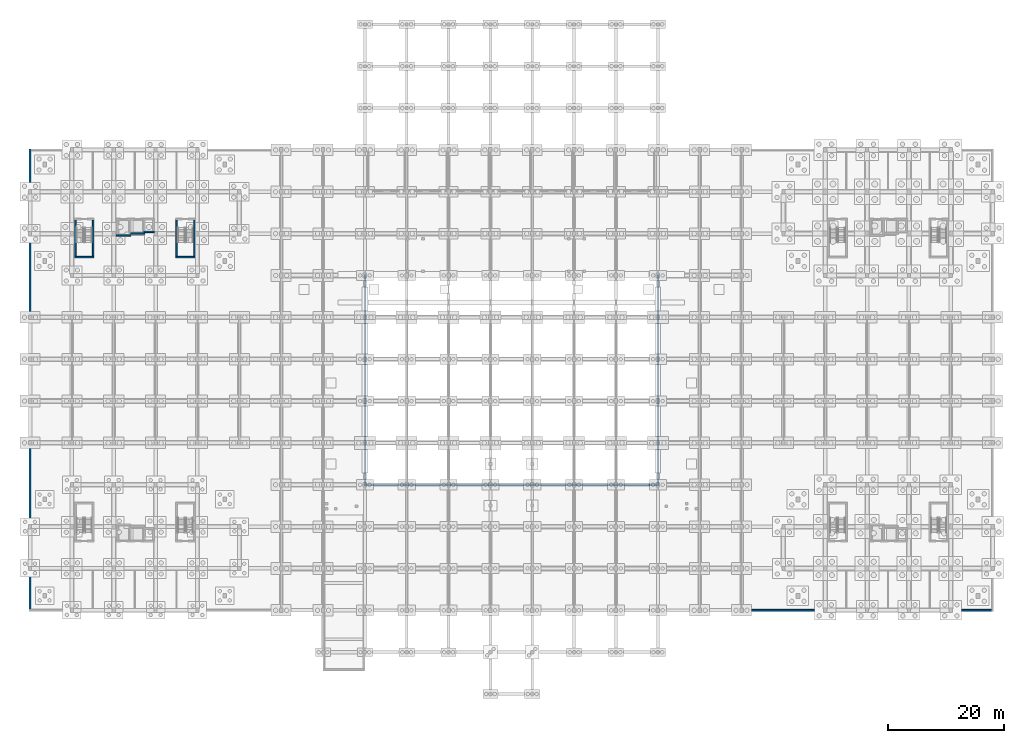
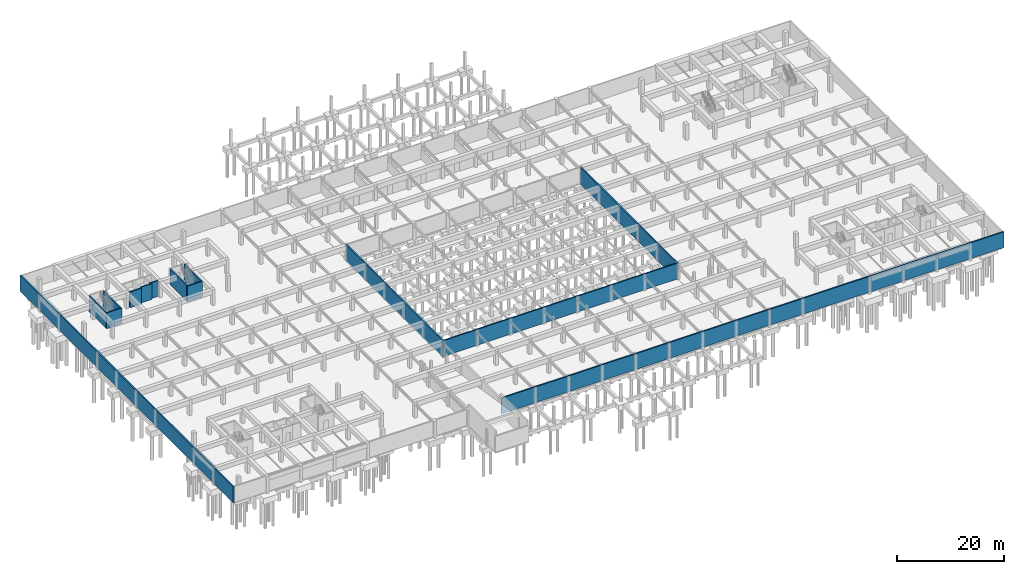
# One storey, part 25 of 36: 14 walls.
"""IFC4 building model written with IfcOpenShell, lengths in metres."""

from ifc_helpers import new_model, si_unit, direction, frame, frame_2d, origin, place, context, subcontext, project, spatial, rectangle, extrude, material, layer, layer_set, type_object, element, save


model = new_model("IFC4")

# Units and contexts
model_context = context("Model", 3, precision=1e-05, world=origin(), true_north=direction((0.0, 1.0)))
body_context = subcontext(model_context, "Body", "Model", "MODEL_VIEW")
ifc_project = project(units=[si_unit("LENGTHUNIT", "METRE"), si_unit("AREAUNIT", "SQUARE_METRE"), si_unit("VOLUMEUNIT", "CUBIC_METRE"), si_unit("PLANEANGLEUNIT", "RADIAN"), si_unit("MASSUNIT", "GRAM", prefix="KILO")], contexts=[model_context])

# Site, building, storey
site_placement = place(None, origin())
site = spatial("IfcSite", under=ifc_project, at=site_placement, CompositionType="ELEMENT")
building_placement = place(site_placement, origin())
building = spatial("IfcBuilding", under=site, at=building_placement, Name="Ochrevale Crest", CompositionType="ELEMENT")
storey_placement = place(building_placement, frame((0.0, 0.0, -3.60009765625)))
storey = spatial("IfcBuildingStorey", under=building, at=storey_placement, Name="B1", CompositionType="ELEMENT", Elevation=-3.60009765625)

# Walls
ifc_material_1 = material(Name="Precast concrete C50/60", Category="concrete")
ifc_layer_1 = layer(ifc_material_1, 0.2548828125)
ifc_layer_set_1 = layer_set([ifc_layer_1], Name="Precast concrete C50/60")
wall_type_1 = type_object("IfcWallType", Name="WL-CORE-255", PredefinedType="SHEAR", material=ifc_layer_set_1)
wall_1_placement = place(storey_placement, frame((7.672607421875, 75.14990234375, 0.0), z_axis=(0.0, 0.0, 1.0), x_axis=(1.0, 0.0, 0.0)))
element("IfcWall", 1, at=wall_1_placement, inside=storey, type_object=wall_type_1, Name="Block B B1 Stair 1 precast core shear wall S", PredefinedType="SHEAR", context=body_context, shape_type="SweptSolid", body=[
    extrude(rectangle(XDim=3.304931640625, YDim=0.2548828125, at=frame_2d((1.65234375, 0.0))), origin(), (0.0, 0.0, 1.0), 3.60009765625),
])
for number, where, z_axis, x_axis, name in (
    (2, (7.800048828125, 75.277587890625, 0.0), (0.0, 0.0, 1.0), (0.0, 1.0, 0.0), "Block B B1 Stair 1 precast core shear wall W"),
    (3, (10.85009765625, 75.277587890625, 0.0), (0.0, 0.0, 1.0), (0.0, 1.0, 0.0), "Block B B1 Stair 1 precast core shear wall E"),
):
    element("IfcWall", number, at=place(storey_placement, frame(where, z_axis=z_axis, x_axis=x_axis)), inside=storey, type_object=wall_type_1, Name=name, PredefinedType="SHEAR", context=body_context, shape_type="SweptSolid", body=[
        extrude(rectangle(XDim=6.294921875, YDim=0.2548828125, at=frame_2d((3.1474609375, 0.0))), origin(), (0.0, 0.0, 1.0), 3.60009765625),
    ])
wall_2_placement = place(storey_placement, frame((25.072509765625, 75.14990234375, 0.0), z_axis=(0.0, 0.0, 1.0), x_axis=(1.0, 0.0, 0.0)))
element("IfcWall", 4, at=wall_2_placement, inside=storey, type_object=wall_type_1, Name="Block B B1 Stair 2 precast core shear wall S", PredefinedType="SHEAR", context=body_context, shape_type="SweptSolid", body=[
    extrude(rectangle(XDim=3.304931640625, YDim=0.2548828125, at=frame_2d((1.65234375, 0.0))), origin(), (0.0, 0.0, 1.0), 3.60009765625),
])
for number, where, z_axis, x_axis, name in (
    (5, (25.199951171875, 75.277587890625, 0.0), (0.0, 0.0, 1.0), (0.0, 1.0, 0.0), "Block B B1 Stair 2 precast core shear wall W"),
    (6, (28.25, 75.277587890625, 0.0), (0.0, 0.0, 1.0), (0.0, 1.0, 0.0), "Block B B1 Stair 2 precast core shear wall E"),
):
    element("IfcWall", number, at=place(storey_placement, frame(where, z_axis=z_axis, x_axis=x_axis)), inside=storey, type_object=wall_type_1, Name=name, PredefinedType="SHEAR", context=body_context, shape_type="SweptSolid", body=[
        extrude(rectangle(XDim=6.294921875, YDim=0.2548828125, at=frame_2d((3.1474609375, 0.0))), origin(), (0.0, 0.0, 1.0), 3.60009765625),
    ])
wall_3_placement = place(storey_placement, frame((14.87255859375, 78.89990234375, 0.0), z_axis=(0.0, 0.0, 1.0), x_axis=(1.0, 0.0, 0.0)))
element("IfcWall", 7, at=wall_3_placement, inside=storey, type_object=wall_type_1, Name="Block B B1 Lift 1 precast shaft shear wall S", PredefinedType="SHEAR", context=body_context, shape_type="SweptSolid", body=[
    extrude(rectangle(XDim=2.454833984375, YDim=0.2548828125, at=frame_2d((1.2275390625, 0.0))), origin(), (0.0, 0.0, 1.0), 3.60009765625),
])
wall_4_placement = place(storey_placement, frame((17.322509765625, 79.199951171875, 0.0), z_axis=(0.0, 0.0, 1.0), x_axis=(1.0, 0.0, 0.0)))
element("IfcWall", 8, at=wall_4_placement, inside=storey, type_object=wall_type_1, Name="Block B B1 Lift 2 precast shaft shear wall S", PredefinedType="SHEAR", context=body_context, shape_type="SweptSolid", body=[
    extrude(rectangle(XDim=2.455078125, YDim=0.2548828125, at=frame_2d((1.2275390625, 0.0))), origin(), (0.0, 0.0, 1.0), 3.60009765625),
])
wall_5_placement = place(storey_placement, frame((19.5224609375, 79.5, 0.0), z_axis=(0.0, 0.0, 1.0), x_axis=(1.0, 0.0, 0.0)))
element("IfcWall", 9, at=wall_5_placement, inside=storey, type_object=wall_type_1, Name="Block B B1 services riser shaft core wall S", PredefinedType="SHEAR", context=body_context, shape_type="SweptSolid", body=[
    extrude(rectangle(XDim=1.804931640625, YDim=0.2548828125, at=frame_2d((0.90234375, 0.0))), origin(), (0.0, 0.0, 1.0), 3.60009765625),
])
ifc_material_2 = material(Name="Concrete C40/50", Category="concrete")
ifc_layer_2 = layer(ifc_material_2, 0.284912109375)
ifc_layer_set_2 = layer_set([ifc_layer_2], Name="Concrete C40/50")
wall_type_2 = type_object("IfcWallType", Name="WL-RET-285", PredefinedType="USERDEFINED", material=ifc_layer_set_2)
wall_6_placement = place(storey_placement, frame((57.60009765625, 14.39990234375, 0.0), z_axis=(0.0, 0.0, 1.0), x_axis=(1.0, 0.0, 0.0)))
element("IfcWall", 10, at=wall_6_placement, inside=storey, type_object=wall_type_2, Name="B1 Concrete C40/50 retaining wall S2", ObjectType="RETAININGWALL", PredefinedType="USERDEFINED", context=body_context, shape_type="SweptSolid", body=[
    extrude(rectangle(XDim=108.142333984375, YDim=0.284912109375, at=frame_2d((54.0712890625, 0.0))), origin(), (0.0, 0.0, 1.0), 3.60009765625),
])
wall_7_placement = place(storey_placement, frame((0.0, 14.257568359375, 0.0), z_axis=(0.0, 0.0, 1.0), x_axis=(0.0, 1.0, 0.0)))
element("IfcWall", 11, at=wall_7_placement, inside=storey, type_object=wall_type_2, Name="B1 Concrete C40/50 retaining wall W", ObjectType="RETAININGWALL", PredefinedType="USERDEFINED", context=body_context, shape_type="SweptSolid", body=[
    extrude(rectangle(XDim=79.48486328125, YDim=0.284912109375, at=frame_2d((39.742431640625, 0.0))), origin(), (0.0, 0.0, 1.0), 3.60009765625),
])
wall_8_placement = place(storey_placement, frame((57.45751953125, 36.0, 0.0), z_axis=(0.0, 0.0, 1.0), x_axis=(1.0, 0.0, 0.0)))
element("IfcWall", 12, at=wall_8_placement, inside=storey, type_object=wall_type_2, Name="B1 Concrete C40/50 retaining wall CW-S", ObjectType="RETAININGWALL", PredefinedType="USERDEFINED", context=body_context, shape_type="SweptSolid", body=[
    extrude(rectangle(XDim=50.68505859375, YDim=0.284912109375, at=frame_2d((25.342529296875, 0.0))), origin(), (0.0, 0.0, 1.0), 3.60009765625),
])
for number, where, z_axis, x_axis, name in (
    (13, (57.60009765625, 35.857421875, -0.260009765625), (0.0, 0.0, 1.0), (0.0, 1.0, 0.0), "B1 Concrete C40/50 retaining wall CW-W"),
    (14, (108.0, 35.857421875, -0.260009765625), (0.0, 0.0, 1.0), (0.0, 1.0, 0.0), "B1 Concrete C40/50 retaining wall CW-E"),
):
    element("IfcWall", number, at=place(storey_placement, frame(where, z_axis=z_axis, x_axis=x_axis)), inside=storey, type_object=wall_type_2, Name=name, ObjectType="RETAININGWALL", PredefinedType="USERDEFINED", context=body_context, shape_type="SweptSolid", body=[
        extrude(rectangle(XDim=36.28515625, YDim=0.284912109375, at=frame_2d((18.142578125, 0.0))), origin(), (0.0, 0.0, 1.0), 3.860107421875),
    ])

save(model, "model.ifc")
